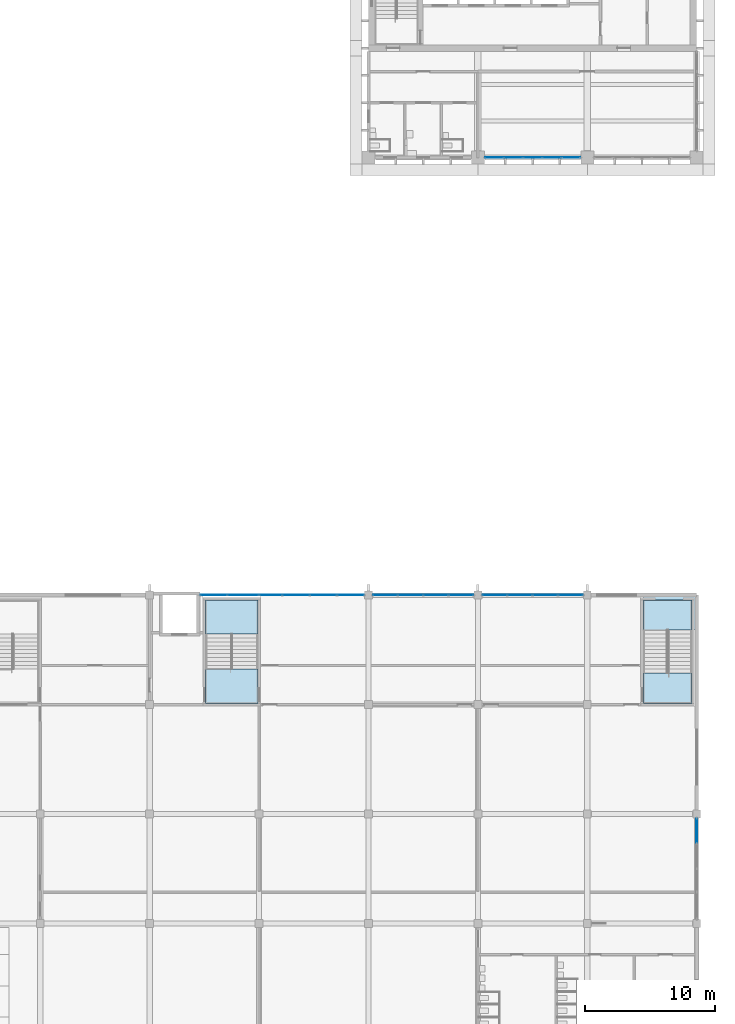
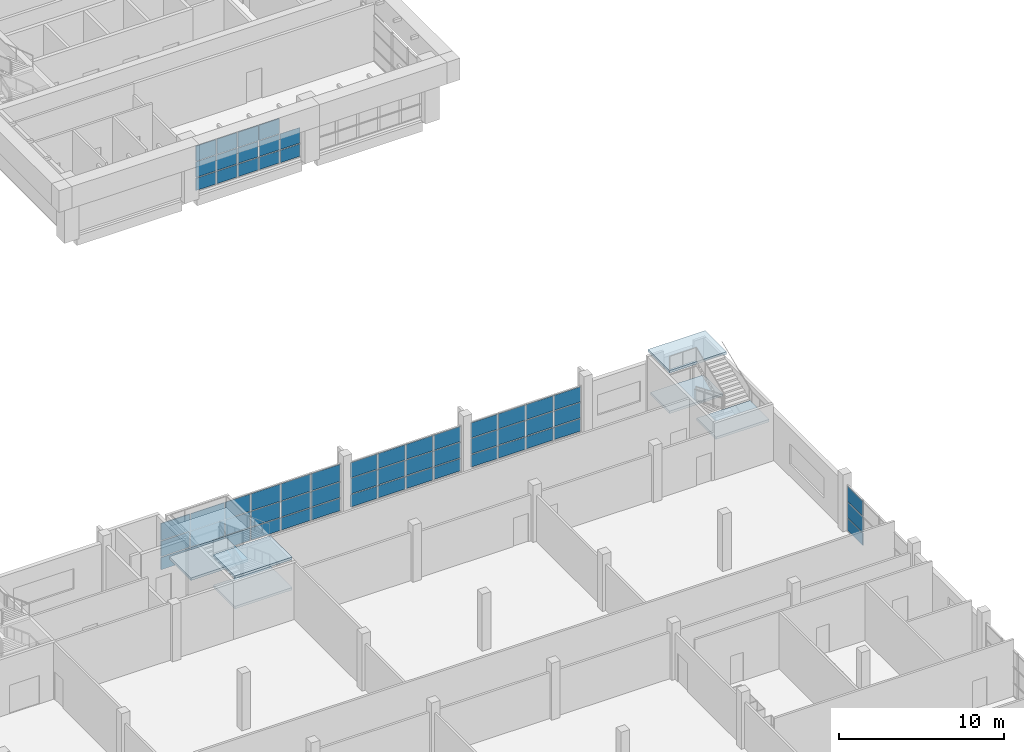
# One storey, part 14 of 56: 59 plates, 7 slabs, 7 elements without a shape of their own.
"""IFC4 building model written with IfcOpenShell, lengths in metres."""

from ifc_helpers import new_model, si_unit, direction, frame, origin, origin_2d, place, context, subcontext, project, spatial, polyline, rectangle, outline, extrude, material, layer, layer_set, type_object, element, aggregate, save


model = new_model("IFC4")

# Units and contexts
model_context = context("Model", 3, precision=1e-05, world=origin(), true_north=direction((0.0, 1.0)))
body_context = subcontext(model_context, "Body", "Model", "MODEL_VIEW")
ifc_project = project(units=[si_unit("LENGTHUNIT", "METRE"), si_unit("AREAUNIT", "SQUARE_METRE"), si_unit("VOLUMEUNIT", "CUBIC_METRE"), si_unit("PLANEANGLEUNIT", "RADIAN"), si_unit("MASSUNIT", "GRAM", prefix="KILO")], contexts=[model_context])

# Site, building, storey
site_placement = place(None, origin())
site = spatial("IfcSite", under=ifc_project, at=site_placement, CompositionType="ELEMENT")
building_placement = place(site_placement, origin())
building = spatial("IfcBuilding", under=site, at=building_placement, Name="Rulbaag Community and Learning Centre", CompositionType="ELEMENT")
storey_placement = place(building_placement, frame((0.0, 0.0, 9.89990234375)))
storey = spatial("IfcBuildingStorey", under=building, at=storey_placement, Name="L02", CompositionType="ELEMENT", Elevation=9.89990234375)

# Curtain wall, plates
ifc_material_1 = material(Name="Aluminium", Category="aluminium")
ifc_layer_1 = layer(ifc_material_1, 0.14990234375)
ifc_layer_set_1 = layer_set([ifc_layer_1], Name="CW-L")
curtain_wall_type_1 = type_object("IfcCurtainWallType", Name="CW-L", PredefinedType="USERDEFINED", material=ifc_layer_set_1)
curtain_wall_1_placement = place(storey_placement, origin())
curtain_wall_1 = element("IfcCurtainWall", 1, at=curtain_wall_1_placement, inside=storey, type_object=curtain_wall_type_1, Name="GL-L02-03", ObjectType="STICK CURTAIN WALL", PredefinedType="USERDEFINED")
ifc_layer_2 = layer(ifc_material_1, 0.050048828125)
ifc_layer_set_2 = layer_set([ifc_layer_2], Name="CW-L-SPN")
plate_type_1 = type_object("IfcPlateType", Name="CW-L-SPN", PredefinedType="CURTAIN_PANEL", material=ifc_layer_set_2)
plate_1_placement = place(storey_placement, frame((130.92041015625, 50.39990234375, 0.06494140625), z_axis=(0.0, 0.0, 1.0), x_axis=(1.0, 0.0, 0.0)))
plate_1 = element("IfcPlate", 2, at=plate_1_placement, type_object=plate_type_1, Name="GL spandrel panel", PredefinedType="CURTAIN_PANEL", context=body_context, shape_type="SweptSolid", body=[
    extrude(rectangle(XDim=2.0107421875, YDim=0.050048828125, at=origin_2d()), origin(), (0.0, 0.0, 1.0), 0.902587890625),
])
plate_2_placement = place(storey_placement, frame((130.92041015625, 50.39990234375, 2.232666015625), z_axis=(0.0, 0.0, 1.0), x_axis=(1.0, 0.0, 0.0)))
plate_2 = element("IfcPlate", 3, at=plate_2_placement, type_object=plate_type_1, Name="GL spandrel panel", PredefinedType="CURTAIN_PANEL", context=body_context, shape_type="SweptSolid", body=[
    extrude(rectangle(XDim=2.0107421875, YDim=0.050048828125, at=origin_2d()), origin(), (0.0, 0.0, 1.0), 1.25244140625),
])
plate_3_placement = place(storey_placement, frame((133.17919921875, 50.39990234375, 0.06494140625), z_axis=(0.0, 0.0, 1.0), x_axis=(1.0, 0.0, 0.0)))
plate_3 = element("IfcPlate", 4, at=plate_3_placement, type_object=plate_type_1, Name="GL spandrel panel", PredefinedType="CURTAIN_PANEL", context=body_context, shape_type="SweptSolid", body=[
    extrude(rectangle(XDim=2.376708984375, YDim=0.050048828125, at=origin_2d()), origin(), (0.0, 0.0, 1.0), 0.902587890625),
])
plate_4_placement = place(storey_placement, frame((133.17919921875, 50.39990234375, 2.232666015625), z_axis=(0.0, 0.0, 1.0), x_axis=(1.0, 0.0, 0.0)))
plate_4 = element("IfcPlate", 5, at=plate_4_placement, type_object=plate_type_1, Name="GL spandrel panel", PredefinedType="CURTAIN_PANEL", context=body_context, shape_type="SweptSolid", body=[
    extrude(rectangle(XDim=2.376708984375, YDim=0.050048828125, at=origin_2d()), origin(), (0.0, 0.0, 1.0), 1.25244140625),
])
plate_5_placement = place(storey_placement, frame((135.28759765625, 50.39990234375, 0.06494140625), z_axis=(0.0, 0.0, 1.0), x_axis=(1.0, 0.0, 0.0)))
plate_5 = element("IfcPlate", 6, at=plate_5_placement, type_object=plate_type_1, Name="GL spandrel panel", PredefinedType="CURTAIN_PANEL", context=body_context, shape_type="SweptSolid", body=[
    extrude(rectangle(XDim=1.7099609375, YDim=0.050048828125, at=origin_2d()), origin(), (0.0, 0.0, 1.0), 0.902587890625),
])
plate_6_placement = place(storey_placement, frame((135.28759765625, 50.39990234375, 2.232666015625), z_axis=(0.0, 0.0, 1.0), x_axis=(1.0, 0.0, 0.0)))
plate_6 = element("IfcPlate", 7, at=plate_6_placement, type_object=plate_type_1, Name="GL spandrel panel", PredefinedType="CURTAIN_PANEL", context=body_context, shape_type="SweptSolid", body=[
    extrude(rectangle(XDim=1.7099609375, YDim=0.050048828125, at=origin_2d()), origin(), (0.0, 0.0, 1.0), 1.25244140625),
])
plate_7_placement = place(storey_placement, frame((137.229248046875, 50.39990234375, 0.06494140625), z_axis=(0.0, 0.0, 1.0), x_axis=(1.0, 0.0, 0.0)))
plate_7 = element("IfcPlate", 8, at=plate_7_placement, type_object=plate_type_1, Name="GL spandrel panel", PredefinedType="CURTAIN_PANEL", context=body_context, shape_type="SweptSolid", body=[
    extrude(rectangle(XDim=2.043212890625, YDim=0.050048828125, at=origin_2d()), origin(), (0.0, 0.0, 1.0), 0.902587890625),
])
plate_8_placement = place(storey_placement, frame((137.229248046875, 50.39990234375, 2.232666015625), z_axis=(0.0, 0.0, 1.0), x_axis=(1.0, 0.0, 0.0)))
plate_8 = element("IfcPlate", 9, at=plate_8_placement, type_object=plate_type_1, Name="GL spandrel panel", PredefinedType="CURTAIN_PANEL", context=body_context, shape_type="SweptSolid", body=[
    extrude(rectangle(XDim=2.043212890625, YDim=0.050048828125, at=origin_2d()), origin(), (0.0, 0.0, 1.0), 1.25244140625),
])
plate_9_placement = place(storey_placement, frame((139.33740234375, 50.39990234375, 0.06494140625), z_axis=(0.0, 0.0, 1.0), x_axis=(1.0, 0.0, 0.0)))
plate_9 = element("IfcPlate", 10, at=plate_9_placement, type_object=plate_type_1, Name="GL spandrel panel", PredefinedType="CURTAIN_PANEL", context=body_context, shape_type="SweptSolid", body=[
    extrude(rectangle(XDim=2.043212890625, YDim=0.050048828125, at=origin_2d()), origin(), (0.0, 0.0, 1.0), 0.902587890625),
])
plate_10_placement = place(storey_placement, frame((139.33740234375, 50.39990234375, 2.232666015625), z_axis=(0.0, 0.0, 1.0), x_axis=(1.0, 0.0, 0.0)))
plate_10 = element("IfcPlate", 11, at=plate_10_placement, type_object=plate_type_1, Name="GL spandrel panel", PredefinedType="CURTAIN_PANEL", context=body_context, shape_type="SweptSolid", body=[
    extrude(rectangle(XDim=2.043212890625, YDim=0.050048828125, at=origin_2d()), origin(), (0.0, 0.0, 1.0), 1.25244140625),
])
plate_11_placement = place(storey_placement, frame((141.4296875, 50.39990234375, 0.06494140625), z_axis=(0.0, 0.0, 1.0), x_axis=(1.0, 0.0, 0.0)))
plate_11 = element("IfcPlate", 12, at=plate_11_placement, type_object=plate_type_1, Name="GL spandrel panel", PredefinedType="CURTAIN_PANEL", context=body_context, shape_type="SweptSolid", body=[
    extrude(rectangle(XDim=2.0107421875, YDim=0.050048828125, at=origin_2d()), origin(), (0.0, 0.0, 1.0), 0.902587890625),
])
plate_12_placement = place(storey_placement, frame((141.4296875, 50.39990234375, 2.232666015625), z_axis=(0.0, 0.0, 1.0), x_axis=(1.0, 0.0, 0.0)))
plate_12 = element("IfcPlate", 13, at=plate_12_placement, type_object=plate_type_1, Name="GL spandrel panel", PredefinedType="CURTAIN_PANEL", context=body_context, shape_type="SweptSolid", body=[
    extrude(rectangle(XDim=2.0107421875, YDim=0.050048828125, at=origin_2d()), origin(), (0.0, 0.0, 1.0), 1.25244140625),
])

curtain_wall_2_placement = place(storey_placement, origin())
curtain_wall_2 = element("IfcCurtainWall", 14, at=curtain_wall_2_placement, inside=storey, type_object=curtain_wall_type_1, Name="GL-L02-04", ObjectType="STICK CURTAIN WALL", PredefinedType="USERDEFINED")
plate_13_placement = place(storey_placement, frame((144.09130859375, 50.39990234375, 0.06494140625), z_axis=(0.0, 0.0, 1.0), x_axis=(1.0, 0.0, 0.0)))
plate_13 = element("IfcPlate", 15, at=plate_13_placement, type_object=plate_type_1, Name="GL spandrel panel", PredefinedType="CURTAIN_PANEL", context=body_context, shape_type="SweptSolid", body=[
    extrude(rectangle(XDim=1.8525390625, YDim=0.050048828125, at=origin_2d()), origin(), (0.0, 0.0, 1.0), 0.902587890625),
])
plate_14_placement = place(storey_placement, frame((144.09130859375, 50.39990234375, 2.232666015625), z_axis=(0.0, 0.0, 1.0), x_axis=(1.0, 0.0, 0.0)))
plate_14 = element("IfcPlate", 16, at=plate_14_placement, type_object=plate_type_1, Name="GL spandrel panel", PredefinedType="CURTAIN_PANEL", context=body_context, shape_type="SweptSolid", body=[
    extrude(rectangle(XDim=1.8525390625, YDim=0.050048828125, at=origin_2d()), origin(), (0.0, 0.0, 1.0), 1.1025390625),
])
plate_15_placement = place(storey_placement, frame((146.02490234375, 50.39990234375, 0.06494140625), z_axis=(0.0, 0.0, 1.0), x_axis=(1.0, 0.0, 0.0)))
plate_15 = element("IfcPlate", 17, at=plate_15_placement, type_object=plate_type_1, Name="GL spandrel panel", PredefinedType="CURTAIN_PANEL", context=body_context, shape_type="SweptSolid", body=[
    extrude(rectangle(XDim=1.885009765625, YDim=0.050048828125, at=origin_2d()), origin(), (0.0, 0.0, 1.0), 0.902587890625),
])
plate_16_placement = place(storey_placement, frame((146.02490234375, 50.39990234375, 2.232666015625), z_axis=(0.0, 0.0, 1.0), x_axis=(1.0, 0.0, 0.0)))
plate_16 = element("IfcPlate", 18, at=plate_16_placement, type_object=plate_type_1, Name="GL spandrel panel", PredefinedType="CURTAIN_PANEL", context=body_context, shape_type="SweptSolid", body=[
    extrude(rectangle(XDim=1.885009765625, YDim=0.050048828125, at=origin_2d()), origin(), (0.0, 0.0, 1.0), 1.1025390625),
])
plate_17_placement = place(storey_placement, frame((147.97509765625, 50.39990234375, 0.06494140625), z_axis=(0.0, 0.0, 1.0), x_axis=(1.0, 0.0, 0.0)))
plate_17 = element("IfcPlate", 19, at=plate_17_placement, type_object=plate_type_1, Name="GL spandrel panel", PredefinedType="CURTAIN_PANEL", context=body_context, shape_type="SweptSolid", body=[
    extrude(rectangle(XDim=1.885009765625, YDim=0.050048828125, at=origin_2d()), origin(), (0.0, 0.0, 1.0), 0.902587890625),
])
plate_18_placement = place(storey_placement, frame((147.97509765625, 50.39990234375, 2.232666015625), z_axis=(0.0, 0.0, 1.0), x_axis=(1.0, 0.0, 0.0)))
plate_18 = element("IfcPlate", 20, at=plate_18_placement, type_object=plate_type_1, Name="GL spandrel panel", PredefinedType="CURTAIN_PANEL", context=body_context, shape_type="SweptSolid", body=[
    extrude(rectangle(XDim=1.885009765625, YDim=0.050048828125, at=origin_2d()), origin(), (0.0, 0.0, 1.0), 1.1025390625),
])
plate_19_placement = place(storey_placement, frame((149.90869140625, 50.39990234375, 0.06494140625), z_axis=(0.0, 0.0, 1.0), x_axis=(1.0, 0.0, 0.0)))
plate_19 = element("IfcPlate", 21, at=plate_19_placement, type_object=plate_type_1, Name="GL spandrel panel", PredefinedType="CURTAIN_PANEL", context=body_context, shape_type="SweptSolid", body=[
    extrude(rectangle(XDim=1.8525390625, YDim=0.050048828125, at=origin_2d()), origin(), (0.0, 0.0, 1.0), 0.902587890625),
])
plate_20_placement = place(storey_placement, frame((149.90869140625, 50.39990234375, 2.232666015625), z_axis=(0.0, 0.0, 1.0), x_axis=(1.0, 0.0, 0.0)))
plate_20 = element("IfcPlate", 22, at=plate_20_placement, type_object=plate_type_1, Name="GL spandrel panel", PredefinedType="CURTAIN_PANEL", context=body_context, shape_type="SweptSolid", body=[
    extrude(rectangle(XDim=1.8525390625, YDim=0.050048828125, at=origin_2d()), origin(), (0.0, 0.0, 1.0), 1.1025390625),
])

curtain_wall_3_placement = place(storey_placement, origin())
curtain_wall_3 = element("IfcCurtainWall", 23, at=curtain_wall_3_placement, inside=storey, type_object=curtain_wall_type_1, Name="GL-L02-05", ObjectType="STICK CURTAIN WALL", PredefinedType="USERDEFINED")
plate_21_placement = place(storey_placement, frame((152.4912109375, 50.39990234375, 0.06494140625), z_axis=(0.0, 0.0, 1.0), x_axis=(1.0, 0.0, 0.0)))
plate_21 = element("IfcPlate", 24, at=plate_21_placement, type_object=plate_type_1, Name="GL spandrel panel", PredefinedType="CURTAIN_PANEL", context=body_context, shape_type="SweptSolid", body=[
    extrude(rectangle(XDim=1.8525390625, YDim=0.050048828125, at=origin_2d()), origin(), (0.0, 0.0, 1.0), 0.902587890625),
])
plate_22_placement = place(storey_placement, frame((152.4912109375, 50.39990234375, 2.232666015625), z_axis=(0.0, 0.0, 1.0), x_axis=(1.0, 0.0, 0.0)))
plate_22 = element("IfcPlate", 25, at=plate_22_placement, type_object=plate_type_1, Name="GL spandrel panel", PredefinedType="CURTAIN_PANEL", context=body_context, shape_type="SweptSolid", body=[
    extrude(rectangle(XDim=1.8525390625, YDim=0.050048828125, at=origin_2d()), origin(), (0.0, 0.0, 1.0), 1.1025390625),
])
plate_23_placement = place(storey_placement, frame((154.425048828125, 50.39990234375, 0.06494140625), z_axis=(0.0, 0.0, 1.0), x_axis=(1.0, 0.0, 0.0)))
plate_23 = element("IfcPlate", 26, at=plate_23_placement, type_object=plate_type_1, Name="GL spandrel panel", PredefinedType="CURTAIN_PANEL", context=body_context, shape_type="SweptSolid", body=[
    extrude(rectangle(XDim=1.885009765625, YDim=0.050048828125, at=origin_2d()), origin(), (0.0, 0.0, 1.0), 0.902587890625),
])
plate_24_placement = place(storey_placement, frame((154.425048828125, 50.39990234375, 2.232666015625), z_axis=(0.0, 0.0, 1.0), x_axis=(1.0, 0.0, 0.0)))
plate_24 = element("IfcPlate", 27, at=plate_24_placement, type_object=plate_type_1, Name="GL spandrel panel", PredefinedType="CURTAIN_PANEL", context=body_context, shape_type="SweptSolid", body=[
    extrude(rectangle(XDim=1.885009765625, YDim=0.050048828125, at=origin_2d()), origin(), (0.0, 0.0, 1.0), 1.1025390625),
])
plate_25_placement = place(storey_placement, frame((156.375, 50.39990234375, 0.06494140625), z_axis=(0.0, 0.0, 1.0), x_axis=(1.0, 0.0, 0.0)))
plate_25 = element("IfcPlate", 28, at=plate_25_placement, type_object=plate_type_1, Name="GL spandrel panel", PredefinedType="CURTAIN_PANEL", context=body_context, shape_type="SweptSolid", body=[
    extrude(rectangle(XDim=1.885009765625, YDim=0.050048828125, at=origin_2d()), origin(), (0.0, 0.0, 1.0), 0.902587890625),
])
plate_26_placement = place(storey_placement, frame((156.375, 50.39990234375, 2.232666015625), z_axis=(0.0, 0.0, 1.0), x_axis=(1.0, 0.0, 0.0)))
plate_26 = element("IfcPlate", 29, at=plate_26_placement, type_object=plate_type_1, Name="GL spandrel panel", PredefinedType="CURTAIN_PANEL", context=body_context, shape_type="SweptSolid", body=[
    extrude(rectangle(XDim=1.885009765625, YDim=0.050048828125, at=origin_2d()), origin(), (0.0, 0.0, 1.0), 1.1025390625),
])
plate_27_placement = place(storey_placement, frame((158.308837890625, 50.39990234375, 0.06494140625), z_axis=(0.0, 0.0, 1.0), x_axis=(1.0, 0.0, 0.0)))
plate_27 = element("IfcPlate", 30, at=plate_27_placement, type_object=plate_type_1, Name="GL spandrel panel", PredefinedType="CURTAIN_PANEL", context=body_context, shape_type="SweptSolid", body=[
    extrude(rectangle(XDim=1.8525390625, YDim=0.050048828125, at=origin_2d()), origin(), (0.0, 0.0, 1.0), 0.902587890625),
])
plate_28_placement = place(storey_placement, frame((158.308837890625, 50.39990234375, 2.232666015625), z_axis=(0.0, 0.0, 1.0), x_axis=(1.0, 0.0, 0.0)))
plate_28 = element("IfcPlate", 31, at=plate_28_placement, type_object=plate_type_1, Name="GL spandrel panel", PredefinedType="CURTAIN_PANEL", context=body_context, shape_type="SweptSolid", body=[
    extrude(rectangle(XDim=1.8525390625, YDim=0.050048828125, at=origin_2d()), origin(), (0.0, 0.0, 1.0), 1.1025390625),
])

curtain_wall_4_placement = place(storey_placement, origin())
curtain_wall_4 = element("IfcCurtainWall", 32, at=curtain_wall_4_placement, inside=storey, type_object=curtain_wall_type_1, Name="GL-L02-07", ObjectType="STICK CURTAIN WALL", PredefinedType="USERDEFINED")
plate_29_placement = place(storey_placement, frame((168.0, 32.308837890625, 0.06494140625), z_axis=(0.0, 0.0, 1.0), x_axis=(0.0, 1.0, 0.0)))
plate_29 = element("IfcPlate", 33, at=plate_29_placement, type_object=plate_type_1, Name="GL spandrel panel", PredefinedType="CURTAIN_PANEL", context=body_context, shape_type="SweptSolid", body=[
    extrude(rectangle(XDim=1.8525390625, YDim=0.050048828125, at=origin_2d()), origin(), (0.0, 0.0, 1.0), 0.902587890625),
])
plate_30_placement = place(storey_placement, frame((168.0, 32.308837890625, 2.232666015625), z_axis=(0.0, 0.0, 1.0), x_axis=(0.0, 1.0, 0.0)))
plate_30 = element("IfcPlate", 34, at=plate_30_placement, type_object=plate_type_1, Name="GL spandrel panel", PredefinedType="CURTAIN_PANEL", context=body_context, shape_type="SweptSolid", body=[
    extrude(rectangle(XDim=1.8525390625, YDim=0.050048828125, at=origin_2d()), origin(), (0.0, 0.0, 1.0), 1.1025390625),
])

# Plate
ifc_material_2 = material(Name="Glass", Category="glass")
ifc_layer_3 = layer(ifc_material_2, 0.031982421875)
ifc_layer_set_3 = layer_set([ifc_layer_3], Name="CW-L-VIS")
plate_type_2 = type_object("IfcPlateType", Name="CW-L-VIS", PredefinedType="CURTAIN_PANEL", material=ifc_layer_set_3)
plate_31_placement = place(storey_placement, frame((130.92041015625, 50.39990234375, 1.03271484375), z_axis=(0.0, 0.0, 1.0), x_axis=(1.0, 0.0, 0.0)))
plate_31 = element("IfcPlate", 35, at=plate_31_placement, type_object=plate_type_2, Name="GL vision panel", PredefinedType="CURTAIN_PANEL", context=body_context, shape_type="SweptSolid", body=[
    extrude(rectangle(XDim=2.0107421875, YDim=0.031982421875, at=origin_2d()), origin(), (0.0, 0.0, 1.0), 1.135009765625),
])

plate_32_placement = place(storey_placement, frame((133.17919921875, 50.39990234375, 1.03271484375), z_axis=(0.0, 0.0, 1.0), x_axis=(1.0, 0.0, 0.0)))
plate_32 = element("IfcPlate", 36, at=plate_32_placement, type_object=plate_type_2, Name="GL vision panel", PredefinedType="CURTAIN_PANEL", context=body_context, shape_type="SweptSolid", body=[
    extrude(rectangle(XDim=2.376708984375, YDim=0.031982421875, at=origin_2d()), origin(), (0.0, 0.0, 1.0), 1.135009765625),
])

plate_33_placement = place(storey_placement, frame((135.28759765625, 50.39990234375, 1.03271484375), z_axis=(0.0, 0.0, 1.0), x_axis=(1.0, 0.0, 0.0)))
plate_33 = element("IfcPlate", 37, at=plate_33_placement, type_object=plate_type_2, Name="GL vision panel", PredefinedType="CURTAIN_PANEL", context=body_context, shape_type="SweptSolid", body=[
    extrude(rectangle(XDim=1.7099609375, YDim=0.031982421875, at=origin_2d()), origin(), (0.0, 0.0, 1.0), 1.135009765625),
])

plate_34_placement = place(storey_placement, frame((137.229248046875, 50.39990234375, 1.03271484375), z_axis=(0.0, 0.0, 1.0), x_axis=(1.0, 0.0, 0.0)))
plate_34 = element("IfcPlate", 38, at=plate_34_placement, type_object=plate_type_2, Name="GL vision panel", PredefinedType="CURTAIN_PANEL", context=body_context, shape_type="SweptSolid", body=[
    extrude(rectangle(XDim=2.043212890625, YDim=0.031982421875, at=origin_2d()), origin(), (0.0, 0.0, 1.0), 1.135009765625),
])

plate_35_placement = place(storey_placement, frame((139.33740234375, 50.39990234375, 1.03271484375), z_axis=(0.0, 0.0, 1.0), x_axis=(1.0, 0.0, 0.0)))
plate_35 = element("IfcPlate", 39, at=plate_35_placement, type_object=plate_type_2, Name="GL vision panel", PredefinedType="CURTAIN_PANEL", context=body_context, shape_type="SweptSolid", body=[
    extrude(rectangle(XDim=2.043212890625, YDim=0.031982421875, at=origin_2d()), origin(), (0.0, 0.0, 1.0), 1.135009765625),
])

plate_36_placement = place(storey_placement, frame((141.4296875, 50.39990234375, 1.03271484375), z_axis=(0.0, 0.0, 1.0), x_axis=(1.0, 0.0, 0.0)))
plate_36 = element("IfcPlate", 40, at=plate_36_placement, type_object=plate_type_2, Name="GL vision panel", PredefinedType="CURTAIN_PANEL", context=body_context, shape_type="SweptSolid", body=[
    extrude(rectangle(XDim=2.0107421875, YDim=0.031982421875, at=origin_2d()), origin(), (0.0, 0.0, 1.0), 1.135009765625),
])

aggregate(curtain_wall_1, [plate_1, plate_31, plate_2, plate_3, plate_32, plate_4, plate_5, plate_33, plate_6, plate_7, plate_34, plate_8, plate_9, plate_35, plate_10, plate_11, plate_36, plate_12])

plate_37_placement = place(storey_placement, frame((144.09130859375, 50.39990234375, 1.03271484375), z_axis=(0.0, 0.0, 1.0), x_axis=(1.0, 0.0, 0.0)))
plate_37 = element("IfcPlate", 41, at=plate_37_placement, type_object=plate_type_2, Name="GL vision panel", PredefinedType="CURTAIN_PANEL", context=body_context, shape_type="SweptSolid", body=[
    extrude(rectangle(XDim=1.8525390625, YDim=0.031982421875, at=origin_2d()), origin(), (0.0, 0.0, 1.0), 1.135009765625),
])

plate_38_placement = place(storey_placement, frame((146.02490234375, 50.39990234375, 1.03271484375), z_axis=(0.0, 0.0, 1.0), x_axis=(1.0, 0.0, 0.0)))
plate_38 = element("IfcPlate", 42, at=plate_38_placement, type_object=plate_type_2, Name="GL vision panel", PredefinedType="CURTAIN_PANEL", context=body_context, shape_type="SweptSolid", body=[
    extrude(rectangle(XDim=1.885009765625, YDim=0.031982421875, at=origin_2d()), origin(), (0.0, 0.0, 1.0), 1.135009765625),
])

plate_39_placement = place(storey_placement, frame((147.97509765625, 50.39990234375, 1.03271484375), z_axis=(0.0, 0.0, 1.0), x_axis=(1.0, 0.0, 0.0)))
plate_39 = element("IfcPlate", 43, at=plate_39_placement, type_object=plate_type_2, Name="GL vision panel", PredefinedType="CURTAIN_PANEL", context=body_context, shape_type="SweptSolid", body=[
    extrude(rectangle(XDim=1.885009765625, YDim=0.031982421875, at=origin_2d()), origin(), (0.0, 0.0, 1.0), 1.135009765625),
])

plate_40_placement = place(storey_placement, frame((149.90869140625, 50.39990234375, 1.03271484375), z_axis=(0.0, 0.0, 1.0), x_axis=(1.0, 0.0, 0.0)))
plate_40 = element("IfcPlate", 44, at=plate_40_placement, type_object=plate_type_2, Name="GL vision panel", PredefinedType="CURTAIN_PANEL", context=body_context, shape_type="SweptSolid", body=[
    extrude(rectangle(XDim=1.8525390625, YDim=0.031982421875, at=origin_2d()), origin(), (0.0, 0.0, 1.0), 1.135009765625),
])

aggregate(curtain_wall_2, [plate_13, plate_37, plate_14, plate_15, plate_38, plate_16, plate_17, plate_39, plate_18, plate_19, plate_40, plate_20])

plate_41_placement = place(storey_placement, frame((152.4912109375, 50.39990234375, 1.03271484375), z_axis=(0.0, 0.0, 1.0), x_axis=(1.0, 0.0, 0.0)))
plate_41 = element("IfcPlate", 45, at=plate_41_placement, type_object=plate_type_2, Name="GL vision panel", PredefinedType="CURTAIN_PANEL", context=body_context, shape_type="SweptSolid", body=[
    extrude(rectangle(XDim=1.8525390625, YDim=0.031982421875, at=origin_2d()), origin(), (0.0, 0.0, 1.0), 1.135009765625),
])

plate_42_placement = place(storey_placement, frame((154.425048828125, 50.39990234375, 1.03271484375), z_axis=(0.0, 0.0, 1.0), x_axis=(1.0, 0.0, 0.0)))
plate_42 = element("IfcPlate", 46, at=plate_42_placement, type_object=plate_type_2, Name="GL vision panel", PredefinedType="CURTAIN_PANEL", context=body_context, shape_type="SweptSolid", body=[
    extrude(rectangle(XDim=1.885009765625, YDim=0.031982421875, at=origin_2d()), origin(), (0.0, 0.0, 1.0), 1.135009765625),
])

plate_43_placement = place(storey_placement, frame((156.375, 50.39990234375, 1.03271484375), z_axis=(0.0, 0.0, 1.0), x_axis=(1.0, 0.0, 0.0)))
plate_43 = element("IfcPlate", 47, at=plate_43_placement, type_object=plate_type_2, Name="GL vision panel", PredefinedType="CURTAIN_PANEL", context=body_context, shape_type="SweptSolid", body=[
    extrude(rectangle(XDim=1.885009765625, YDim=0.031982421875, at=origin_2d()), origin(), (0.0, 0.0, 1.0), 1.135009765625),
])

plate_44_placement = place(storey_placement, frame((158.308837890625, 50.39990234375, 1.03271484375), z_axis=(0.0, 0.0, 1.0), x_axis=(1.0, 0.0, 0.0)))
plate_44 = element("IfcPlate", 48, at=plate_44_placement, type_object=plate_type_2, Name="GL vision panel", PredefinedType="CURTAIN_PANEL", context=body_context, shape_type="SweptSolid", body=[
    extrude(rectangle(XDim=1.8525390625, YDim=0.031982421875, at=origin_2d()), origin(), (0.0, 0.0, 1.0), 1.135009765625),
])

aggregate(curtain_wall_3, [plate_21, plate_41, plate_22, plate_23, plate_42, plate_24, plate_25, plate_43, plate_26, plate_27, plate_44, plate_28])

plate_45_placement = place(storey_placement, frame((168.0, 32.308837890625, 1.03271484375), z_axis=(0.0, 0.0, 1.0), x_axis=(0.0, 1.0, 0.0)))
plate_45 = element("IfcPlate", 49, at=plate_45_placement, type_object=plate_type_2, Name="GL vision panel", PredefinedType="CURTAIN_PANEL", context=body_context, shape_type="SweptSolid", body=[
    extrude(rectangle(XDim=1.8525390625, YDim=0.031982421875, at=origin_2d()), origin(), (0.0, 0.0, 1.0), 1.135009765625),
])

aggregate(curtain_wall_4, [plate_29, plate_45, plate_30])

# Curtain wall, plates
ifc_layer_4 = layer(ifc_material_1, 0.14990234375)
ifc_layer_set_4 = layer_set([ifc_layer_4], Name="CW-S")
curtain_wall_type_2 = type_object("IfcCurtainWallType", Name="CW-S", PredefinedType="USERDEFINED", material=ifc_layer_set_4)
curtain_wall_5_placement = place(storey_placement, origin())
curtain_wall_5 = element("IfcCurtainWall", 50, at=curtain_wall_5_placement, inside=storey, type_object=curtain_wall_type_2, Name="GS-L02-01", ObjectType="UNITISED CURTAIN WALL", PredefinedType="USERDEFINED")
ifc_layer_5 = layer(ifc_material_1, 0.054931640625)
ifc_layer_set_5 = layer_set([ifc_layer_5], Name="CW-S-SPN")
plate_type_3 = type_object("IfcPlateType", Name="CW-S-SPN", PredefinedType="CURTAIN_PANEL", material=ifc_layer_set_5)
plate_46_placement = place(storey_placement, frame((152.455078125, 84.0, 0.06005859375), z_axis=(0.0, 0.0, 1.0), x_axis=(1.0, 0.0, 0.0)))
plate_46 = element("IfcPlate", 51, at=plate_46_placement, type_object=plate_type_3, Name="GS spandrel panel", PredefinedType="CURTAIN_PANEL", context=body_context, shape_type="SweptSolid", body=[
    extrude(rectangle(XDim=1.389892578125, YDim=0.054931640625, at=origin_2d()), origin(), (0.0, 0.0, 1.0), 0.909912109375),
])
plate_47_placement = place(storey_placement, frame((152.455078125, 84.0, 2.22998046875), z_axis=(0.0, 0.0, 1.0), x_axis=(1.0, 0.0, 0.0)))
plate_47 = element("IfcPlate", 52, at=plate_47_placement, type_object=plate_type_3, Name="GS spandrel panel", PredefinedType="CURTAIN_PANEL", context=body_context, shape_type="SweptSolid", body=[
    extrude(rectangle(XDim=1.389892578125, YDim=0.054931640625, at=origin_2d()), origin(), (0.0, 0.0, 1.0), 1.110107421875),
])
plate_48_placement = place(storey_placement, frame((153.919921875, 84.0, 0.06005859375), z_axis=(0.0, 0.0, 1.0), x_axis=(1.0, 0.0, 0.0)))
plate_48 = element("IfcPlate", 53, at=plate_48_placement, type_object=plate_type_3, Name="GS spandrel panel", PredefinedType="CURTAIN_PANEL", context=body_context, shape_type="SweptSolid", body=[
    extrude(rectangle(XDim=1.419921875, YDim=0.054931640625, at=origin_2d()), origin(), (0.0, 0.0, 1.0), 0.909912109375),
])
plate_49_placement = place(storey_placement, frame((153.919921875, 84.0, 2.22998046875), z_axis=(0.0, 0.0, 1.0), x_axis=(1.0, 0.0, 0.0)))
plate_49 = element("IfcPlate", 54, at=plate_49_placement, type_object=plate_type_3, Name="GS spandrel panel", PredefinedType="CURTAIN_PANEL", context=body_context, shape_type="SweptSolid", body=[
    extrude(rectangle(XDim=1.419921875, YDim=0.054931640625, at=origin_2d()), origin(), (0.0, 0.0, 1.0), 1.110107421875),
])
plate_50_placement = place(storey_placement, frame((155.39990234375, 84.0, 0.06005859375), z_axis=(0.0, 0.0, 1.0), x_axis=(1.0, 0.0, 0.0)))
plate_50 = element("IfcPlate", 55, at=plate_50_placement, type_object=plate_type_3, Name="GS spandrel panel", PredefinedType="CURTAIN_PANEL", context=body_context, shape_type="SweptSolid", body=[
    extrude(rectangle(XDim=1.419921875, YDim=0.054931640625, at=origin_2d()), origin(), (0.0, 0.0, 1.0), 0.909912109375),
])
plate_51_placement = place(storey_placement, frame((155.39990234375, 84.0, 2.22998046875), z_axis=(0.0, 0.0, 1.0), x_axis=(1.0, 0.0, 0.0)))
plate_51 = element("IfcPlate", 56, at=plate_51_placement, type_object=plate_type_3, Name="GS spandrel panel", PredefinedType="CURTAIN_PANEL", context=body_context, shape_type="SweptSolid", body=[
    extrude(rectangle(XDim=1.419921875, YDim=0.054931640625, at=origin_2d()), origin(), (0.0, 0.0, 1.0), 1.110107421875),
])
plate_52_placement = place(storey_placement, frame((156.8798828125, 84.0, 0.06005859375), z_axis=(0.0, 0.0, 1.0), x_axis=(1.0, 0.0, 0.0)))
plate_52 = element("IfcPlate", 57, at=plate_52_placement, type_object=plate_type_3, Name="GS spandrel panel", PredefinedType="CURTAIN_PANEL", context=body_context, shape_type="SweptSolid", body=[
    extrude(rectangle(XDim=1.419921875, YDim=0.054931640625, at=origin_2d()), origin(), (0.0, 0.0, 1.0), 0.909912109375),
])
plate_53_placement = place(storey_placement, frame((156.8798828125, 84.0, 2.22998046875), z_axis=(0.0, 0.0, 1.0), x_axis=(1.0, 0.0, 0.0)))
plate_53 = element("IfcPlate", 58, at=plate_53_placement, type_object=plate_type_3, Name="GS spandrel panel", PredefinedType="CURTAIN_PANEL", context=body_context, shape_type="SweptSolid", body=[
    extrude(rectangle(XDim=1.419921875, YDim=0.054931640625, at=origin_2d()), origin(), (0.0, 0.0, 1.0), 1.110107421875),
])
plate_54_placement = place(storey_placement, frame((158.344970703125, 84.0, 0.06005859375), z_axis=(0.0, 0.0, 1.0), x_axis=(1.0, 0.0, 0.0)))
plate_54 = element("IfcPlate", 59, at=plate_54_placement, type_object=plate_type_3, Name="GS spandrel panel", PredefinedType="CURTAIN_PANEL", context=body_context, shape_type="SweptSolid", body=[
    extrude(rectangle(XDim=1.389892578125, YDim=0.054931640625, at=origin_2d()), origin(), (0.0, 0.0, 1.0), 0.909912109375),
])
ifc_layer_6 = layer(ifc_material_2, 0.030029296875)
ifc_layer_set_6 = layer_set([ifc_layer_6], Name="CW-S-VIS")
plate_type_4 = type_object("IfcPlateType", Name="CW-S-VIS", PredefinedType="CURTAIN_PANEL", material=ifc_layer_set_6)
plate_55_placement = place(storey_placement, frame((152.455078125, 84.0, 1.0302734375), z_axis=(0.0, 0.0, 1.0), x_axis=(1.0, 0.0, 0.0)))
plate_55 = element("IfcPlate", 60, at=plate_55_placement, type_object=plate_type_4, Name="GS vision panel", PredefinedType="CURTAIN_PANEL", context=body_context, shape_type="SweptSolid", body=[
    extrude(rectangle(XDim=1.389892578125, YDim=0.030029296875, at=origin_2d()), origin(), (0.0, 0.0, 1.0), 1.139892578125),
])
plate_56_placement = place(storey_placement, frame((153.919921875, 84.0, 1.0302734375), z_axis=(0.0, 0.0, 1.0), x_axis=(1.0, 0.0, 0.0)))
plate_56 = element("IfcPlate", 61, at=plate_56_placement, type_object=plate_type_4, Name="GS vision panel", PredefinedType="CURTAIN_PANEL", context=body_context, shape_type="SweptSolid", body=[
    extrude(rectangle(XDim=1.419921875, YDim=0.030029296875, at=origin_2d()), origin(), (0.0, 0.0, 1.0), 1.139892578125),
])
plate_57_placement = place(storey_placement, frame((155.39990234375, 84.0, 1.0302734375), z_axis=(0.0, 0.0, 1.0), x_axis=(1.0, 0.0, 0.0)))
plate_57 = element("IfcPlate", 62, at=plate_57_placement, type_object=plate_type_4, Name="GS vision panel", PredefinedType="CURTAIN_PANEL", context=body_context, shape_type="SweptSolid", body=[
    extrude(rectangle(XDim=1.419921875, YDim=0.030029296875, at=origin_2d()), origin(), (0.0, 0.0, 1.0), 1.139892578125),
])
plate_58_placement = place(storey_placement, frame((156.8798828125, 84.0, 1.0302734375), z_axis=(0.0, 0.0, 1.0), x_axis=(1.0, 0.0, 0.0)))
plate_58 = element("IfcPlate", 63, at=plate_58_placement, type_object=plate_type_4, Name="GS vision panel", PredefinedType="CURTAIN_PANEL", context=body_context, shape_type="SweptSolid", body=[
    extrude(rectangle(XDim=1.419921875, YDim=0.030029296875, at=origin_2d()), origin(), (0.0, 0.0, 1.0), 1.139892578125),
])
plate_59_placement = place(storey_placement, frame((158.344970703125, 84.0, 1.0302734375), z_axis=(0.0, 0.0, 1.0), x_axis=(1.0, 0.0, 0.0)))
plate_59 = element("IfcPlate", 64, at=plate_59_placement, type_object=plate_type_4, Name="GS vision panel", PredefinedType="CURTAIN_PANEL", context=body_context, shape_type="SweptSolid", body=[
    extrude(rectangle(XDim=1.389892578125, YDim=0.030029296875, at=origin_2d()), origin(), (0.0, 0.0, 1.0), 1.139892578125),
])
aggregate(curtain_wall_5, [plate_46, plate_55, plate_47, plate_48, plate_56, plate_49, plate_50, plate_57, plate_51, plate_52, plate_58, plate_53, plate_54, plate_59])

# Stair, slabs
ifc_material_3 = material(Name="Concrete M40", Category="concrete")
stair_type_1 = type_object("IfcStairType", Name="ST-2000 STAIR 2000 WIDE", PredefinedType="HALF_TURN_STAIR", material=ifc_material_3)
stair_1_placement = place(storey_placement, origin())
stair_1 = element("IfcStair", 65, at=stair_1_placement, inside=storey, type_object=stair_type_1, Name="Stair ST-H3 L02", PredefinedType="HALF_TURN_STAIR")
ifc_layer_7 = layer(ifc_material_3, 0.179931640625)
ifc_layer_set_7 = layer_set([ifc_layer_7], Name="LN-180 LANDING 180 Concrete M40")
slab_type = type_object("IfcSlabType", Name="LN-180 LANDING 180 Concrete M40", PredefinedType="LANDING", material=ifc_layer_set_7)
slab_1_placement = place(storey_placement, frame((0.0, 0.0, 0.945068359375)))
slab_1 = element("IfcSlab", 66, at=slab_1_placement, type_object=slab_type, Name="ST-H3 landing 1", PredefinedType="LANDING", context=body_context, shape_type="SweptSolid", body=[
    extrude(outline(polyline([(130.300048828125, 47.41259765625), (130.300048828125, 50.02490234375), (134.300048828125, 50.02490234375), (134.300048828125, 47.41259765625), (130.300048828125, 47.41259765625)])), origin(), (0.0, 0.0, 1.0), 0.179931640625),
])
slab_2_placement = place(storey_placement, frame((0.0, 0.0, 2.070068359375)))
slab_2 = element("IfcSlab", 67, at=slab_2_placement, type_object=slab_type, Name="ST-H3 landing 2", PredefinedType="LANDING", context=body_context, shape_type="SweptSolid", body=[
    extrude(outline(polyline([(130.300048828125, 42.10009765625), (130.300048828125, 44.71240234375), (134.300048828125, 44.71240234375), (134.300048828125, 42.10009765625), (130.300048828125, 42.10009765625)])), origin(), (0.0, 0.0, 1.0), 0.179931640625),
])
slab_3_placement = place(storey_placement, frame((0.0, 0.0, 3.195068359375)))
slab_3 = element("IfcSlab", 68, at=slab_3_placement, type_object=slab_type, Name="ST-H3 landing 3", PredefinedType="LANDING", context=body_context, shape_type="SweptSolid", body=[
    extrude(outline(polyline([(130.300048828125, 47.41259765625), (130.300048828125, 50.02490234375), (134.300048828125, 50.02490234375), (134.300048828125, 47.41259765625), (130.300048828125, 47.41259765625)])), origin(), (0.0, 0.0, 1.0), 0.179931640625),
])
slab_4_placement = place(storey_placement, frame((0.0, 0.0, 4.320068359375)))
slab_4 = element("IfcSlab", 69, at=slab_4_placement, type_object=slab_type, Name="ST-H3 landing 4", PredefinedType="LANDING", context=body_context, shape_type="SweptSolid", body=[
    extrude(outline(polyline([(130.300048828125, 42.10009765625), (130.300048828125, 44.71240234375), (134.300048828125, 44.71240234375), (134.300048828125, 42.10009765625), (130.300048828125, 42.10009765625)])), origin(), (0.0, 0.0, 1.0), 0.179931640625),
])
aggregate(stair_1, [slab_1, slab_2, slab_3, slab_4])

stair_type_2 = type_object("IfcStairType", Name="ST-1862 STAIR 1862 WIDE", PredefinedType="HALF_TURN_STAIR", material=ifc_material_3)
stair_2_placement = place(storey_placement, origin())
stair_2 = element("IfcStair", 70, at=stair_2_placement, inside=storey, type_object=stair_type_2, Name="Stair ST-H4 L02", PredefinedType="HALF_TURN_STAIR")
slab_5_placement = place(storey_placement, frame((0.0, 0.0, 1.320068359375)))
slab_5 = element("IfcSlab", 71, at=slab_5_placement, type_object=slab_type, Name="ST-H4 landing 1", PredefinedType="LANDING", context=body_context, shape_type="SweptSolid", body=[
    extrude(outline(polyline([(163.89990234375, 47.71240234375), (163.89990234375, 50.02490234375), (167.625, 50.02490234375), (167.625, 47.71240234375), (163.89990234375, 47.71240234375)])), origin(), (0.0, 0.0, 1.0), 0.179931640625),
])
slab_6_placement = place(storey_placement, frame((0.0, 0.0, 2.820068359375)))
slab_6 = element("IfcSlab", 72, at=slab_6_placement, type_object=slab_type, Name="ST-H4 landing 2", PredefinedType="LANDING", context=body_context, shape_type="SweptSolid", body=[
    extrude(outline(polyline([(163.89990234375, 42.10009765625), (163.89990234375, 44.41259765625), (167.625, 44.41259765625), (167.625, 42.10009765625), (163.89990234375, 42.10009765625)])), origin(), (0.0, 0.0, 1.0), 0.179931640625),
])
slab_7_placement = place(storey_placement, frame((0.0, 0.0, 4.320068359375)))
slab_7 = element("IfcSlab", 73, at=slab_7_placement, type_object=slab_type, Name="ST-H4 landing 3", PredefinedType="LANDING", context=body_context, shape_type="SweptSolid", body=[
    extrude(outline(polyline([(163.89990234375, 47.71240234375), (163.89990234375, 50.300048828125), (167.89990234375, 50.300048828125), (167.89990234375, 47.71240234375), (163.89990234375, 47.71240234375)])), origin(), (0.0, 0.0, 1.0), 0.179931640625),
])
aggregate(stair_2, [slab_5, slab_6, slab_7])

save(model, "model.ifc")
